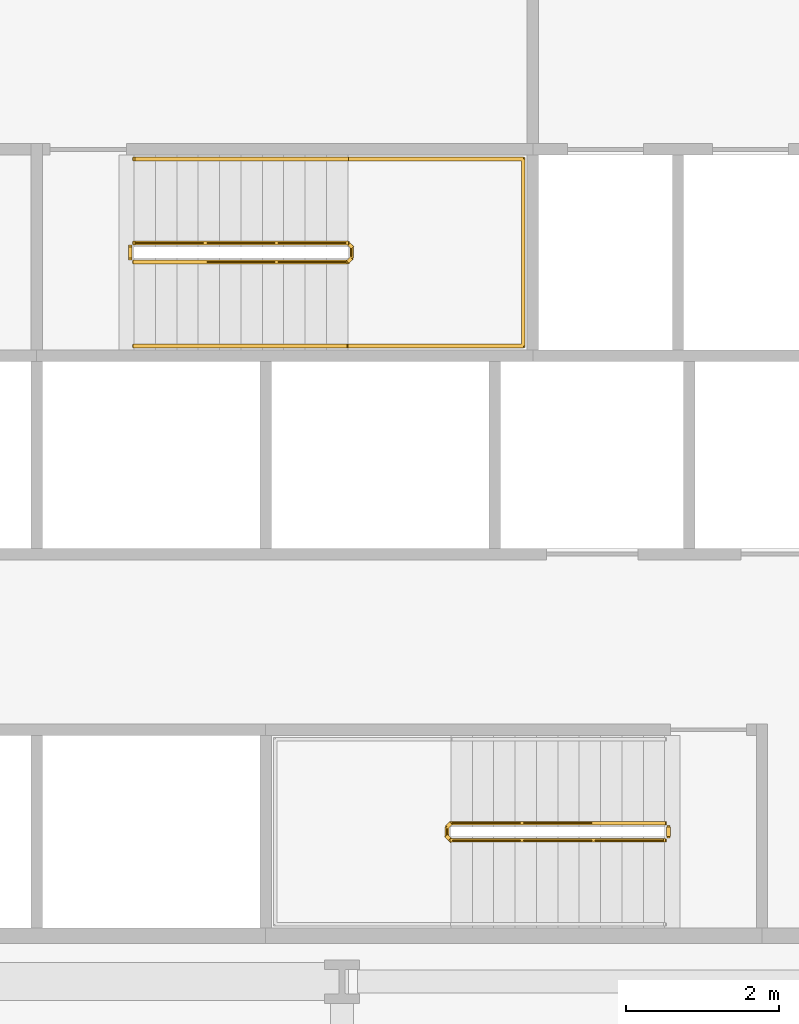
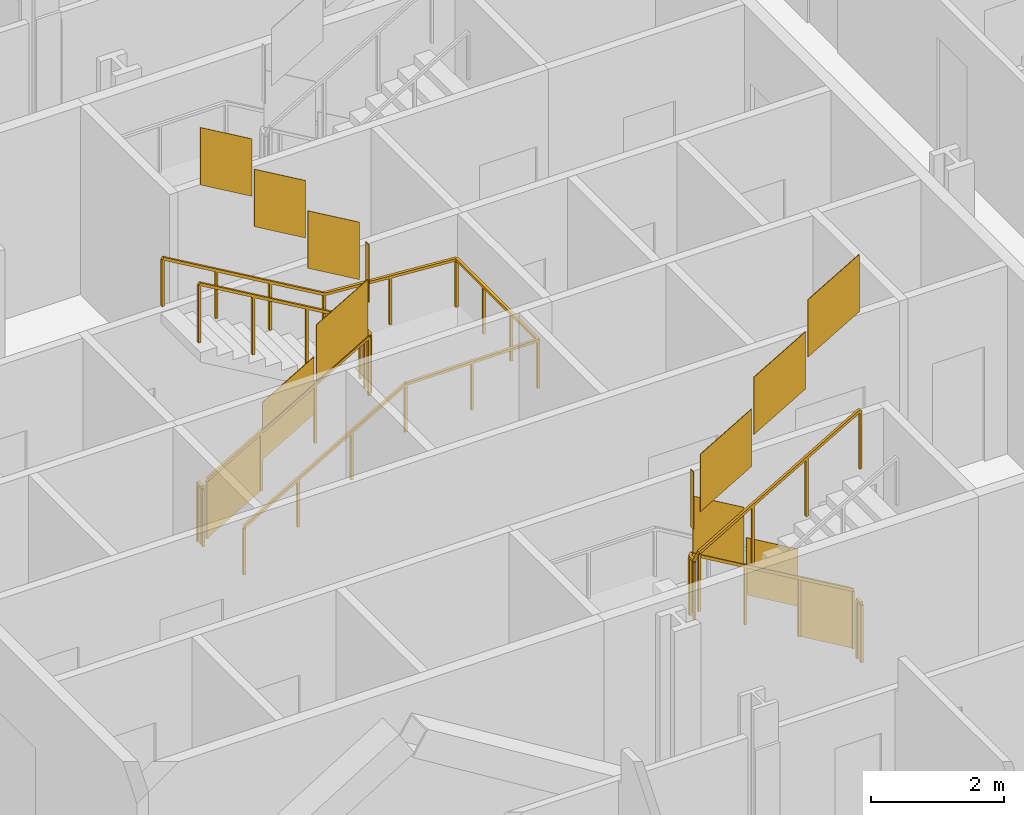
# One storey, part 18 of 21: 5 railings.
"""IFC4 building model written with IfcOpenShell, lengths in metres."""

import ifcopenshell
import ifcopenshell.guid

model = None  # the IFC model being written
_history = None  # IfcOwnerHistory: only IFC2X3 demands one
_inside = {}  # id of a spatial element -> (the spatial element, [elements in it])
_under = {}  # id of a project, library or spatial element -> (it, [spatial elements below it])
_declared = {}  # id of a project -> (the project, [libraries it declares])
_typed = {}  # id of a type object -> (the type object, [elements of that type])
_made_of = {}  # id of a material, layer set ... -> (it, [elements and type objects made of it])


def new_model(schema):
    """Start an empty IFC model of exactly this schema.

    Asked for "IFC4X3", IfcOpenShell would pick the latest addendum, in which some entities
    have other attributes; the version numbers below select the first issue.
    IFC2X3 requires an IfcOwnerHistory on every rooted entity: one is made here for all.
    """
    global model, _history
    if schema == "IFC4X3":
        model = ifcopenshell.file(schema_version=(4, 3, 0, 0))
    else:
        model = ifcopenshell.file(schema=schema)
    _inside.clear()
    _under.clear()
    _declared.clear()
    _typed.clear()
    _made_of.clear()
    _history = None
    if model.schema == "IFC2X3":
        org = make("IfcOrganization", Name="unknown")
        user = make(
            "IfcPersonAndOrganization",
            ThePerson=make("IfcPerson", FamilyName="unknown"),
            TheOrganization=org,
        )
        app = make(
            "IfcApplication",
            ApplicationDeveloper=org,
            Version="unknown",
            ApplicationFullName="unknown",
            ApplicationIdentifier="unknown",
        )
        _history = make(
            "IfcOwnerHistory",
            OwningUser=user,
            OwningApplication=app,
            ChangeAction="ADDED",
            CreationDate=0,
        )
    return model


def make(cls, **values):
    """One entity of the class cls with the attributes given. An attribute that is None is left unset."""
    return model.create_entity(
        cls, **{name: value for name, value in values.items() if value is not None}
    )


def rooted(cls, **values):
    """An entity with a GlobalId (a new one), such as an element, a storey or a relation."""
    return make(cls, GlobalId=ifcopenshell.guid.new(), OwnerHistory=_history, **values)


def si_unit(unit_type, name, prefix=None):
    """IfcSIUnit, for example si_unit("LENGTHUNIT", "METRE", prefix="MILLI")."""
    return make("IfcSIUnit", UnitType=unit_type, Prefix=prefix, Name=name)


def assignment(units):
    """IfcUnitAssignment: the units of a project."""
    return None if units is None else make("IfcUnitAssignment", Units=units)


def point(xyz):
    """IfcCartesianPoint."""
    return None if xyz is None else make("IfcCartesianPoint", Coordinates=xyz)


def direction(xyz):
    """IfcDirection."""
    return None if xyz is None else make("IfcDirection", DirectionRatios=xyz)


def frame(location, z_axis=None, x_axis=None):
    """IfcAxis2Placement3D, a coordinate frame: its origin and axes. An axis left out is left unset."""
    return make(
        "IfcAxis2Placement3D",
        Location=point(location),
        Axis=direction(z_axis),
        RefDirection=direction(x_axis),
    )


def frame_2d(location, x_axis=None):
    """IfcAxis2Placement2D, a coordinate frame in the plane: its origin and x axis."""
    return make(
        "IfcAxis2Placement2D", Location=point(location), RefDirection=direction(x_axis)
    )


def origin():
    """The frame at (0, 0, 0) with its axes left unset."""
    return frame((0.0, 0.0, 0.0))


def origin_2d():
    """The frame at (0, 0) in the plane with its x axis left unset."""
    return frame_2d((0.0, 0.0))


def place(relative_to, where):
    """IfcLocalPlacement: puts the frame where relative to a parent placement (None: the world)."""
    return make(
        "IfcLocalPlacement", PlacementRelTo=relative_to, RelativePlacement=where
    )


def context(
    kind, dimensions, precision=None, world=None, true_north=None, identifier=None
):
    """IfcGeometricRepresentationContext, for example the 3D "Model" context."""
    return make(
        "IfcGeometricRepresentationContext",
        ContextIdentifier=identifier,
        ContextType=kind,
        CoordinateSpaceDimension=dimensions,
        Precision=precision,
        WorldCoordinateSystem=world,
        TrueNorth=true_north,
    )


def subcontext(parent, identifier, kind, view, scale=None):
    """IfcGeometricRepresentationSubContext, for example "Body" below "Model"."""
    return make(
        "IfcGeometricRepresentationSubContext",
        ContextIdentifier=identifier,
        ContextType=kind,
        ParentContext=parent,
        TargetScale=scale,
        TargetView=view,
    )


def project(units=None, contexts=None):
    """IfcProject with its units and contexts."""
    return rooted(
        "IfcProject",
        Name="project",
        RepresentationContexts=contexts,
        UnitsInContext=assignment(units),
    )


def spatial(cls, under=None, at=None, **own):
    """A site, building, storey or space (cls), placed at a placement, below another one or the project."""
    s = rooted(cls, ObjectPlacement=at, **own)
    if under is not None:
        _under.setdefault(under.id(), (under, []))[1].append(s)
    return s


def polyline(points):
    """IfcPolyline through the points."""
    return make("IfcPolyline", Points=[point(p) for p in points])


def profile(cls, at=None, kind="AREA", **sizes):
    """A parametric profile (cls). Its sizes go by their IFC names, for example OverallWidth=200.0."""
    return make(cls, ProfileType=kind, Position=at, **sizes)


def rectangle(**sizes):
    """IfcRectangleProfileDef."""
    return profile("IfcRectangleProfileDef", **sizes)


def outline(outer, holes=None, kind="AREA"):
    """IfcArbitraryClosedProfileDef: a profile drawn as a closed curve; with holes, ...WithVoids."""
    if holes is None:
        return make("IfcArbitraryClosedProfileDef", ProfileType=kind, OuterCurve=outer)
    return make(
        "IfcArbitraryProfileDefWithVoids",
        ProfileType=kind,
        OuterCurve=outer,
        InnerCurves=holes,
    )


def extrude(swept, where, along, depth):
    """IfcExtrudedAreaSolid: the profile swept, set in the frame where, extruded along a direction by depth."""
    return make(
        "IfcExtrudedAreaSolid",
        SweptArea=swept,
        Position=where,
        ExtrudedDirection=direction(along),
        Depth=depth,
    )


def shape(context_of_items, identifier, shape_type, items):
    """IfcShapeRepresentation: the items that make up one representation, for example the "Body"."""
    return make(
        "IfcShapeRepresentation",
        ContextOfItems=context_of_items,
        RepresentationIdentifier=identifier,
        RepresentationType=shape_type,
        Items=items,
    )


def material(Name=None, Category=None):
    """IfcMaterial."""
    return make("IfcMaterial", Name=Name, Category=Category)


def made_of(thing, what):
    """Note that an element or type object is made of a material, layer set ...; save() writes the relation."""
    if what is not None:
        _made_of.setdefault(what.id(), (what, []))[1].append(thing)
    return thing


def type_object(cls, material=None, **own):
    """A type object (cls), such as IfcWallType, which elements share."""
    return made_of(rooted(cls, **own), material)


def element(
    cls,
    number,
    at=None,
    inside=None,
    cuts=None,
    type_object=None,
    material=None,
    context=None,
    identifier="Body",
    shape_type=None,
    held_by="IfcProductDefinitionShape",
    body=None,
    shapes=None,
    **own,
):
    """One element of the class cls, such as IfcWall. Its Tag is "e" and its number.

    at: its placement. inside: the storey or other place that contains it. cuts: it is an
    opening in that element (IfcRelVoidsElement). A single representation is given by context,
    identifier, shape_type and body (its items); several are given by shapes. held_by: the class
    of the entity that holds the representations. save() writes the other relations.
    """
    e = rooted(cls, Tag="e%d" % number, ObjectPlacement=at, **own)
    if body is not None:
        shapes = [shape(context, identifier, shape_type, body)]
    if shapes is not None:
        e.Representation = make(held_by, Representations=shapes)
    if inside is not None:
        _inside.setdefault(inside.id(), (inside, []))[1].append(e)
    if cuts is not None:
        rooted(
            "IfcRelVoidsElement", RelatingBuildingElement=cuts, RelatedOpeningElement=e
        )
    if type_object is not None:
        _typed.setdefault(type_object.id(), (type_object, []))[1].append(e)
    return made_of(e, material)


def aggregate(whole, parts):
    """IfcRelAggregates: a whole, such as a stair, and the parts it consists of."""
    return rooted("IfcRelAggregates", RelatingObject=whole, RelatedObjects=parts)


def save(model, path):
    """Write the relations noted so far, then the file.

    IfcRelAggregates (storeys below a building ...), IfcRelContainedInSpatialStructure (elements
    in a storey), IfcRelDefinesByType, IfcRelAssociatesMaterial and IfcRelDeclares: one each for
    every whole, place, type object, material and project.
    """
    for whole, parts in _under.values():
        aggregate(whole, parts)
    for where, things in _inside.values():
        rooted(
            "IfcRelContainedInSpatialStructure",
            RelatedElements=things,
            RelatingStructure=where,
        )
    for kind, things in _typed.values():
        rooted("IfcRelDefinesByType", RelatedObjects=things, RelatingType=kind)
    for what, things in _made_of.values():
        rooted("IfcRelAssociatesMaterial", RelatedObjects=things, RelatingMaterial=what)
    for by, libraries in _declared.values():
        rooted("IfcRelDeclares", RelatingContext=by, RelatedDefinitions=libraries)
    model.write(path)


model = new_model("IFC4")

# Units and contexts
model_context = context("Model", 3, precision=1e-05, world=origin(), true_north=direction((0.0, 1.0)))
body_context = subcontext(model_context, "Body", "Model", "MODEL_VIEW")
ifc_project = project(units=[si_unit("LENGTHUNIT", "METRE"), si_unit("AREAUNIT", "SQUARE_METRE"), si_unit("VOLUMEUNIT", "CUBIC_METRE"), si_unit("PLANEANGLEUNIT", "RADIAN"), si_unit("MASSUNIT", "GRAM", prefix="KILO")], contexts=[model_context])

# Site, building, storey
site_placement = place(None, origin())
site = spatial("IfcSite", under=ifc_project, at=site_placement, CompositionType="ELEMENT")
building_placement = place(site_placement, origin())
building = spatial("IfcBuilding", under=site, at=building_placement, Name="Cairn Pilgrim Tower", CompositionType="ELEMENT")
storey_placement = place(building_placement, frame((0.0, 0.0, 54.60009765625)))
storey = spatial("IfcBuildingStorey", under=building, at=storey_placement, Name="L11", CompositionType="ELEMENT", Elevation=54.60009765625)

# Railings
ifc_material = material(Name="Painted steel", Category="steel")
railing_type_1 = type_object("IfcRailingType", Name="STAIR GUARD 1100", PredefinedType="GUARDRAIL", material=ifc_material)
railing_1_placement = place(storey_placement, frame((11.425048828125, -3.925048828125, 0.16357421875)))
element("IfcRailing", 1, at=railing_1_placement, inside=storey, type_object=railing_type_1, Name="L11 ST-A stair guard 1", PredefinedType="GUARDRAIL", context=body_context, shape_type="SweptSolid", body=[
    extrude(rectangle(XDim=0.048095703125, YDim=0.048095703125, at=origin_2d()), frame((0.0, 0.0, 1.076171875), z_axis=(-0.863393664356, 0.0, 0.504530851732), x_axis=(0.0, -1.0, 0.0)), (0.0, 0.0, 1.0), 3.2431640625),
    extrude(rectangle(XDim=0.048095703125, YDim=0.048095703125, at=origin_2d()), frame((-2.800048828125, 0.0, 2.71240234375), z_axis=(-0.707106781187, -0.707106781187, 0.0), x_axis=(0.707106781187, -0.707106781187, 0.0)), (0.0, 0.0, 1.0), 0.07080078125),
    extrude(rectangle(XDim=0.048095703125, YDim=0.048095703125, at=origin_2d()), frame((-2.85009765625, -0.050048828125, 2.71240234375), z_axis=(0.0, -1.0, 0.0), x_axis=(1.0, 0.0, 0.0)), (0.0, 0.0, 1.0), 0.125),
    extrude(rectangle(XDim=0.048095703125, YDim=0.048095703125, at=origin_2d()), frame((-2.85009765625, -0.175048828125, 2.71240234375), z_axis=(0.280563532951, -0.279194930351, 0.91833234444), x_axis=(0.705375805398, 0.708833529934, 0.0)), (0.0, 0.0, 1.0), 0.178466796875),
    extrude(rectangle(XDim=0.048095703125, YDim=0.048095703125, at=origin_2d()), frame((-2.800048828125, -0.224853515625, 2.8759765625), z_axis=(0.863393664356, 0.0, 0.504530851732), x_axis=(0.0, 1.0, 0.0)), (0.0, 0.0, 1.0), 3.2431640625),
    extrude(rectangle(XDim=0.0419921875, YDim=0.0419921875, at=origin_2d()), origin(), (0.0, 0.0, 1.0), 1.052001953125),
    extrude(rectangle(XDim=0.0419921875, YDim=0.0419921875, at=origin_2d()), frame((-0.933349609375, 0.0, 0.54541015625)), (0.0, 0.0, 1.0), 1.052001953125),
    extrude(rectangle(XDim=0.0419921875, YDim=0.0419921875, at=origin_2d()), frame((-1.86669921875, 0.0, 1.0908203125)), (0.0, 0.0, 1.0), 1.052001953125),
    extrude(rectangle(XDim=0.0419921875, YDim=0.0419921875, at=origin_2d()), frame((-2.800048828125, 0.0, 1.63623046875)), (0.0, 0.0, 1.0), 1.052001953125),
    extrude(rectangle(XDim=0.0419921875, YDim=0.0419921875, at=origin_2d()), frame((-2.85009765625, -0.050048828125, 1.63623046875)), (0.0, 0.0, 1.0), 1.052001953125),
    extrude(rectangle(XDim=0.0419921875, YDim=0.0419921875, at=origin_2d()), frame((-2.85009765625, -0.175048828125, 1.63623046875)), (0.0, 0.0, 1.0), 1.052001953125),
    extrude(rectangle(XDim=0.0419921875, YDim=0.0419921875, at=origin_2d()), frame((-2.800048828125, -0.224853515625, 1.800048828125)), (0.0, 0.0, 1.0), 1.052001953125),
    extrude(rectangle(XDim=0.0419921875, YDim=0.0419921875, at=origin_2d()), frame((-1.86669921875, -0.224853515625, 2.345458984375)), (0.0, 0.0, 1.0), 1.052001953125),
    extrude(rectangle(XDim=0.0419921875, YDim=0.0419921875, at=origin_2d()), frame((-0.933349609375, -0.224853515625, 2.890869140625)), (0.0, 0.0, 1.0), 1.052001953125),
    extrude(rectangle(XDim=0.0419921875, YDim=0.0419921875, at=origin_2d()), frame((0.0, -0.224853515625, 3.436279296875)), (0.0, 0.0, 1.0), 1.052001953125),
    extrude(outline(polyline([(0.02099609375, 0.01220703125), (0.912353515625, 0.533203125), (0.912353515625, 1.585205078125), (0.02099609375, 1.064208984375), (0.02099609375, 0.01220703125)])), frame((0.0, -0.005859375, 0.0), z_axis=(0.0, 1.0, 0.0), x_axis=(-1.0, 0.0, 0.0)), (0.0, 0.0, 1.0), 0.011962890625),
    extrude(outline(polyline([(0.02099609375, 0.5576171875), (0.912353515625, 1.07861328125), (0.912353515625, 2.130615234375), (0.02099609375, 1.609619140625), (0.02099609375, 0.5576171875)])), frame((-0.933349609375, -0.005859375, 0.54541015625), z_axis=(0.0, 1.0, 0.0), x_axis=(-1.0, 0.0, 0.0)), (0.0, 0.0, 1.0), 0.011962890625),
    extrude(outline(polyline([(0.02099609375, 1.10302734375), (0.912353515625, 1.6240234375), (0.912353515625, 2.676025390625), (0.02099609375, 2.155029296875), (0.02099609375, 1.10302734375)])), frame((-1.86669921875, -0.005859375, 1.0908203125), z_axis=(0.0, 1.0, 0.0), x_axis=(-1.0, 0.0, 0.0)), (0.0, 0.0, 1.0), 0.011962890625),
    extrude(outline(polyline([(0.02099609375, 1.63623046875), (0.10400390625, 1.63623046875), (0.10400390625, 2.688232421875), (0.02099609375, 2.688232421875), (0.02099609375, 1.63623046875)])), frame((-2.84423828125, -0.050048828125, 1.63623046875), z_axis=(-1.0, 0.0, 0.0), x_axis=(0.0, -1.0, 0.0)), (0.0, 0.0, 1.0), 0.011962890625),
    extrude(outline(polyline([(0.02099609375, 1.812255859375), (0.912353515625, 2.333251953125), (0.912353515625, 3.38525390625), (0.02099609375, 2.8642578125), (0.02099609375, 1.812255859375)])), frame((-2.800048828125, -0.21875, 1.800048828125), z_axis=(0.0, -1.0, 0.0), x_axis=(1.0, 0.0, 0.0)), (0.0, 0.0, 1.0), 0.011962890625),
    extrude(outline(polyline([(0.02099609375, 2.357666015625), (0.912353515625, 2.878662109375), (0.912353515625, 3.9306640625), (0.02099609375, 3.40966796875), (0.02099609375, 2.357666015625)])), frame((-1.86669921875, -0.21875, 2.345458984375), z_axis=(0.0, -1.0, 0.0), x_axis=(1.0, 0.0, 0.0)), (0.0, 0.0, 1.0), 0.011962890625),
    extrude(outline(polyline([(0.02099609375, 2.903076171875), (0.912353515625, 3.424072265625), (0.912353515625, 4.47607421875), (0.02099609375, 3.955078125), (0.02099609375, 2.903076171875)])), frame((-0.933349609375, -0.21875, 2.890869140625), z_axis=(0.0, -1.0, 0.0), x_axis=(1.0, 0.0, 0.0)), (0.0, 0.0, 1.0), 0.011962890625),
])
railing_2_placement = place(storey_placement, frame((11.47509765625, -3.97509765625, 0.0)))
element("IfcRailing", 2, at=railing_2_placement, inside=storey, type_object=railing_type_1, Name="L11 ST-A stair guard 2", PredefinedType="GUARDRAIL", context=body_context, shape_type="SweptSolid", body=[
    extrude(rectangle(XDim=0.048095703125, YDim=0.048095703125, at=origin_2d()), frame((0.0, 0.0, 1.076171875), z_axis=(0.0, -1.0, 0.0), x_axis=(1.0, 0.0, 0.0)), (0.0, 0.0, 1.0), 0.125),
    extrude(rectangle(XDim=0.0419921875, YDim=0.0419921875, at=origin_2d()), origin(), (0.0, 0.0, 1.0), 1.052001953125),
    extrude(rectangle(XDim=0.0419921875, YDim=0.0419921875, at=origin_2d()), frame((0.0, -0.125, 0.0)), (0.0, 0.0, 1.0), 1.052001953125),
    extrude(outline(polyline([(0.02099609375, 0.0), (0.10400390625, 0.0), (0.10400390625, 1.052001953125), (0.02099609375, 1.052001953125), (0.02099609375, 0.0)])), frame((0.005859375, 0.0, 0.0), z_axis=(-1.0, 0.0, 0.0), x_axis=(0.0, -1.0, 0.0)), (0.0, 0.0, 1.0), 0.011962890625),
])
railing_3_placement = place(storey_placement, frame((4.47509765625, 3.425048828125, 0.16357421875)))
element("IfcRailing", 3, at=railing_3_placement, inside=storey, type_object=railing_type_1, Name="L11 ST-B stair guard 1", PredefinedType="GUARDRAIL", context=body_context, shape_type="SweptSolid", body=[
    extrude(rectangle(XDim=0.048095703125, YDim=0.048095703125, at=origin_2d()), frame((0.0, 0.0, 1.076171875), z_axis=(0.863374499697, 0.0, 0.504563646405), x_axis=(0.0, 1.0, 0.0)), (0.0, 0.0, 1.0), 3.242919921875),
    extrude(rectangle(XDim=0.048095703125, YDim=0.048095703125, at=origin_2d()), frame((2.7998046875, 0.0, 2.71240234375), z_axis=(0.707106781187, 0.707106781187, 0.0), x_axis=(-0.707106781187, 0.707106781187, 0.0)), (0.0, 0.0, 1.0), 0.07080078125),
    extrude(rectangle(XDim=0.048095703125, YDim=0.048095703125, at=origin_2d()), frame((2.849853515625, 0.050048828125, 2.71240234375), z_axis=(0.0, 1.0, 0.0), x_axis=(-1.0, 0.0, 0.0)), (0.0, 0.0, 1.0), 0.14990234375),
    extrude(rectangle(XDim=0.048095703125, YDim=0.048095703125, at=origin_2d()), frame((2.849853515625, 0.199951171875, 2.71240234375), z_axis=(-0.280456126637, 0.280456126637, 0.917980785237), x_axis=(-0.707106781187, -0.707106781187, 0.0)), (0.0, 0.0, 1.0), 0.178466796875),
    extrude(rectangle(XDim=0.048095703125, YDim=0.048095703125, at=origin_2d()), frame((2.7998046875, 0.25, 2.8759765625), z_axis=(-0.863374499697, 0.0, 0.504563646405), x_axis=(0.0, -1.0, 0.0)), (0.0, 0.0, 1.0), 3.242919921875),
    extrude(rectangle(XDim=0.0419921875, YDim=0.0419921875, at=origin_2d()), origin(), (0.0, 0.0, 1.0), 1.052001953125),
    extrude(rectangle(XDim=0.0419921875, YDim=0.0419921875, at=origin_2d()), frame((0.933349609375, 0.0, 0.54541015625)), (0.0, 0.0, 1.0), 1.052001953125),
    extrude(rectangle(XDim=0.0419921875, YDim=0.0419921875, at=origin_2d()), frame((1.866455078125, 0.0, 1.0908203125)), (0.0, 0.0, 1.0), 1.052001953125),
    extrude(rectangle(XDim=0.0419921875, YDim=0.0419921875, at=origin_2d()), frame((2.7998046875, 0.0, 1.63623046875)), (0.0, 0.0, 1.0), 1.052001953125),
    extrude(rectangle(XDim=0.0419921875, YDim=0.0419921875, at=origin_2d()), frame((2.849853515625, 0.050048828125, 1.63623046875)), (0.0, 0.0, 1.0), 1.052001953125),
    extrude(rectangle(XDim=0.0419921875, YDim=0.0419921875, at=origin_2d()), frame((2.849853515625, 0.199951171875, 1.63623046875)), (0.0, 0.0, 1.0), 1.052001953125),
    extrude(rectangle(XDim=0.0419921875, YDim=0.0419921875, at=origin_2d()), frame((2.7998046875, 0.25, 1.800048828125)), (0.0, 0.0, 1.0), 1.052001953125),
    extrude(rectangle(XDim=0.0419921875, YDim=0.0419921875, at=origin_2d()), frame((1.866455078125, 0.25, 2.345458984375)), (0.0, 0.0, 1.0), 1.052001953125),
    extrude(rectangle(XDim=0.0419921875, YDim=0.0419921875, at=origin_2d()), frame((0.933349609375, 0.25, 2.890869140625)), (0.0, 0.0, 1.0), 1.052001953125),
    extrude(rectangle(XDim=0.0419921875, YDim=0.0419921875, at=origin_2d()), frame((0.0, 0.25, 3.436279296875)), (0.0, 0.0, 1.0), 1.052001953125),
    extrude(outline(polyline([(0.02099609375, 0.01220703125), (0.912353515625, 0.533203125), (0.912353515625, 1.585205078125), (0.02099609375, 1.064208984375), (0.02099609375, 0.01220703125)])), frame((0.0, 0.005859375, 0.0), z_axis=(0.0, -1.0, 0.0), x_axis=(1.0, 0.0, 0.0)), (0.0, 0.0, 1.0), 0.011962890625),
    extrude(outline(polyline([(0.02099609375, 0.5576171875), (0.912353515625, 1.07861328125), (0.912353515625, 2.130615234375), (0.02099609375, 1.609619140625), (0.02099609375, 0.5576171875)])), frame((0.933349609375, 0.005859375, 0.54541015625), z_axis=(0.0, -1.0, 0.0), x_axis=(1.0, 0.0, 0.0)), (0.0, 0.0, 1.0), 0.011962890625),
    extrude(outline(polyline([(0.02099609375, 1.10302734375), (0.912353515625, 1.6240234375), (0.912353515625, 2.676025390625), (0.02099609375, 2.155029296875), (0.02099609375, 1.10302734375)])), frame((1.866455078125, 0.005859375, 1.0908203125), z_axis=(0.0, -1.0, 0.0), x_axis=(1.0, 0.0, 0.0)), (0.0, 0.0, 1.0), 0.011962890625),
    extrude(outline(polyline([(0.02099609375, 1.63623046875), (0.12890625, 1.63623046875), (0.12890625, 2.688232421875), (0.02099609375, 2.688232421875), (0.02099609375, 1.63623046875)])), frame((2.84375, 0.050048828125, 1.63623046875), z_axis=(1.0, 0.0, 0.0), x_axis=(0.0, 1.0, 0.0)), (0.0, 0.0, 1.0), 0.011962890625),
    extrude(outline(polyline([(0.02099609375, 1.812255859375), (0.912353515625, 2.333251953125), (0.912353515625, 3.38525390625), (0.02099609375, 2.8642578125), (0.02099609375, 1.812255859375)])), frame((2.7998046875, 0.244140625, 1.800048828125), z_axis=(0.0, 1.0, 0.0), x_axis=(-1.0, 0.0, 0.0)), (0.0, 0.0, 1.0), 0.011962890625),
    extrude(outline(polyline([(0.02099609375, 2.357666015625), (0.912353515625, 2.878662109375), (0.912353515625, 3.9306640625), (0.02099609375, 3.40966796875), (0.02099609375, 2.357666015625)])), frame((1.866455078125, 0.244140625, 2.345458984375), z_axis=(0.0, 1.0, 0.0), x_axis=(-1.0, 0.0, 0.0)), (0.0, 0.0, 1.0), 0.011962890625),
    extrude(outline(polyline([(0.02099609375, 2.903076171875), (0.912353515625, 3.424072265625), (0.912353515625, 4.47607421875), (0.02099609375, 3.955078125), (0.02099609375, 2.903076171875)])), frame((0.933349609375, 0.244140625, 2.890869140625), z_axis=(0.0, 1.0, 0.0), x_axis=(-1.0, 0.0, 0.0)), (0.0, 0.0, 1.0), 0.011962890625),
])
railing_4_placement = place(storey_placement, frame((4.425048828125, 3.47509765625, 0.0)))
element("IfcRailing", 4, at=railing_4_placement, inside=storey, type_object=railing_type_1, Name="L11 ST-B stair guard 2", PredefinedType="GUARDRAIL", context=body_context, shape_type="SweptSolid", body=[
    extrude(rectangle(XDim=0.048095703125, YDim=0.048095703125, at=origin_2d()), frame((0.0, 0.0, 1.076171875), z_axis=(0.0, 1.0, 0.0), x_axis=(-1.0, 0.0, 0.0)), (0.0, 0.0, 1.0), 0.14990234375),
    extrude(rectangle(XDim=0.0419921875, YDim=0.0419921875, at=origin_2d()), origin(), (0.0, 0.0, 1.0), 1.052001953125),
    extrude(rectangle(XDim=0.0419921875, YDim=0.0419921875, at=origin_2d()), frame((0.0, 0.14990234375, 0.0)), (0.0, 0.0, 1.0), 1.052001953125),
    extrude(outline(polyline([(0.02099609375, 0.0), (0.12890625, 0.0), (0.12890625, 1.052001953125), (0.02099609375, 1.052001953125), (0.02099609375, 0.0)])), frame((-0.005859375, 0.0, 0.0), z_axis=(1.0, 0.0, 0.0), x_axis=(0.0, 1.0, 0.0)), (0.0, 0.0, 1.0), 0.011962890625),
])
railing_type_2 = type_object("IfcRailingType", Name="STAIR HANDRAIL 900", PredefinedType="HANDRAIL", material=ifc_material)
railing_5_placement = place(storey_placement, frame((4.47509765625, 2.324951171875, 0.16357421875)))
element("IfcRailing", 5, at=railing_5_placement, inside=storey, type_object=railing_type_2, Name="L11 ST-B stair handrail 1", PredefinedType="HANDRAIL", context=body_context, shape_type="SweptSolid", body=[
    extrude(rectangle(XDim=0.048095703125, YDim=0.048095703125, at=origin_2d()), frame((0.0, 0.0, 0.8759765625), z_axis=(0.863374499697, 0.0, 0.504563646405), x_axis=(0.0, 1.0, 0.0)), (0.0, 0.0, 1.0), 3.242919921875),
    extrude(rectangle(XDim=0.048095703125, YDim=0.048095703125, at=origin_2d()), frame((2.7998046875, 0.0, 2.51220703125), z_axis=(1.0, 0.0, 0.0), x_axis=(0.0, 1.0, 0.0)), (0.0, 0.0, 1.0), 2.300048828125),
    extrude(rectangle(XDim=0.048095703125, YDim=0.048095703125, at=origin_2d()), frame((5.099853515625, 0.0, 2.51220703125), z_axis=(0.0, 1.0, 0.0), x_axis=(-1.0, 0.0, 0.0)), (0.0, 0.0, 1.0), 2.449951171875),
    extrude(rectangle(XDim=0.048095703125, YDim=0.048095703125, at=origin_2d()), frame((5.099853515625, 2.449951171875, 2.51220703125), z_axis=(-0.99747319029, 0.0, 0.071043892441), x_axis=(0.0, -1.0, 0.0)), (0.0, 0.0, 1.0), 2.305908203125),
    extrude(rectangle(XDim=0.048095703125, YDim=0.048095703125, at=origin_2d()), frame((2.7998046875, 2.449951171875, 2.67578125), z_axis=(-0.863374499697, 0.0, 0.504563646405), x_axis=(0.0, -1.0, 0.0)), (0.0, 0.0, 1.0), 3.242919921875),
    extrude(rectangle(XDim=0.0419921875, YDim=0.0419921875, at=origin_2d()), origin(), (0.0, 0.0, 1.0), 0.851806640625),
    extrude(rectangle(XDim=0.0419921875, YDim=0.0419921875, at=origin_2d()), frame((0.933349609375, 0.0, 0.54541015625)), (0.0, 0.0, 1.0), 0.851806640625),
    extrude(rectangle(XDim=0.0419921875, YDim=0.0419921875, at=origin_2d()), frame((1.866455078125, 0.0, 1.0908203125)), (0.0, 0.0, 1.0), 0.851806640625),
    extrude(rectangle(XDim=0.0419921875, YDim=0.0419921875, at=origin_2d()), frame((2.7998046875, 0.0, 1.63623046875)), (0.0, 0.0, 1.0), 0.851806640625),
    extrude(rectangle(XDim=0.0419921875, YDim=0.0419921875, at=origin_2d()), frame((3.94970703125, 0.0, 1.63623046875)), (0.0, 0.0, 1.0), 0.851806640625),
    extrude(rectangle(XDim=0.0419921875, YDim=0.0419921875, at=origin_2d()), frame((5.099853515625, 0.0, 1.63623046875)), (0.0, 0.0, 1.0), 0.851806640625),
    extrude(rectangle(XDim=0.0419921875, YDim=0.0419921875, at=origin_2d()), frame((5.099853515625, 0.816650390625, 1.63623046875)), (0.0, 0.0, 1.0), 0.851806640625),
    extrude(rectangle(XDim=0.0419921875, YDim=0.0419921875, at=origin_2d()), frame((5.099853515625, 1.63330078125, 1.63623046875)), (0.0, 0.0, 1.0), 0.851806640625),
    extrude(rectangle(XDim=0.0419921875, YDim=0.0419921875, at=origin_2d()), frame((5.099853515625, 2.449951171875, 1.63623046875)), (0.0, 0.0, 1.0), 0.851806640625),
    extrude(rectangle(XDim=0.0419921875, YDim=0.0419921875, at=origin_2d()), frame((3.94970703125, 2.449951171875, 1.71826171875)), (0.0, 0.0, 1.0), 0.851806640625),
    extrude(rectangle(XDim=0.0419921875, YDim=0.0419921875, at=origin_2d()), frame((2.7998046875, 2.449951171875, 1.800048828125)), (0.0, 0.0, 1.0), 0.851806640625),
    extrude(rectangle(XDim=0.0419921875, YDim=0.0419921875, at=origin_2d()), frame((1.866455078125, 2.449951171875, 2.345458984375)), (0.0, 0.0, 1.0), 0.851806640625),
    extrude(rectangle(XDim=0.0419921875, YDim=0.0419921875, at=origin_2d()), frame((0.933349609375, 2.449951171875, 2.890869140625)), (0.0, 0.0, 1.0), 0.851806640625),
    extrude(rectangle(XDim=0.0419921875, YDim=0.0419921875, at=origin_2d()), frame((0.0, 2.449951171875, 3.436279296875)), (0.0, 0.0, 1.0), 0.851806640625),
])

save(model, "model.ifc")
